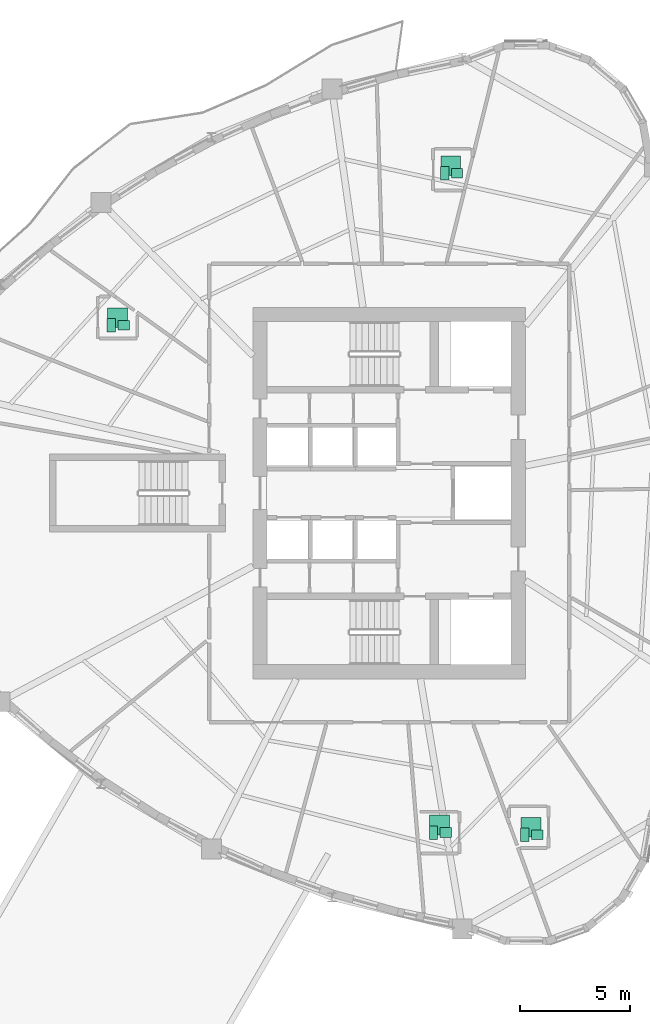
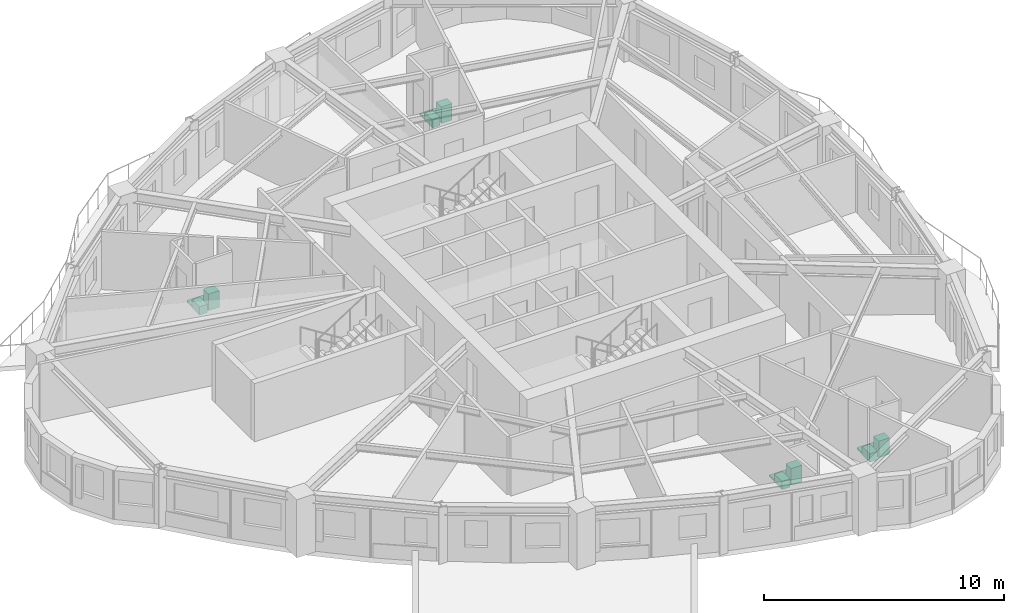
# One storey, part 14 of 14: 12 sanitary terminals.
"""IFC4 building model written with IfcOpenShell, lengths in metres."""

from ifc_helpers import new_model, si_unit, direction, frame, origin, origin_2d, place, context, subcontext, project, spatial, rectangle, extrude, source, transform, mapped, material, type_object, element, save


model = new_model("IFC4")

# Units and contexts
model_context = context("Model", 3, precision=1e-05, world=origin(), true_north=direction((0.0, 1.0)))
body_context = subcontext(model_context, "Body", "Model", "MODEL_VIEW")
ifc_project = project(units=[si_unit("LENGTHUNIT", "METRE"), si_unit("AREAUNIT", "SQUARE_METRE"), si_unit("VOLUMEUNIT", "CUBIC_METRE"), si_unit("PLANEANGLEUNIT", "RADIAN"), si_unit("MASSUNIT", "GRAM", prefix="KILO")], contexts=[model_context])

# Site, building, storey
site_placement = place(None, origin())
site = spatial("IfcSite", under=ifc_project, at=site_placement, CompositionType="ELEMENT")
building_placement = place(site_placement, origin())
building = spatial("IfcBuilding", under=site, at=building_placement, Name="Qafzar Sky-Pleat Residences", CompositionType="ELEMENT")
storey_placement = place(building_placement, frame((0.0, 0.0, 118.39990234375)))
storey = spatial("IfcBuildingStorey", under=building, at=storey_placement, Name="L35", CompositionType="ELEMENT", Elevation=118.39990234375)

# Sanitary terminals
ifc_material_1 = material(Name="Vitreous china sanitaryware")
sanitary_terminal_type_1 = type_object("IfcSanitaryTerminalType", Name="SAN-WC-PAN", PredefinedType="TOILETPAN", material=ifc_material_1)
shared_shape_1 = source(origin(), body_context, "Body", "SweptSolid", [
    extrude(rectangle(XDim=0.3798828125, YDim=0.6201171875, at=origin_2d()), origin(), (0.0, 0.0, 1.0), 0.419921875),
])
for number, where, z_axis, x_axis, name in (
    (1, (32.874755859375, 40.549072265625, 0.000244140625), (0.0, 0.0, 1.0), (1.0, 0.0, 0.0), "L35 En-suite Bathroom 1 WC Pan"),
    (2, (17.708984375, 33.635986328125, 0.000244140625), (0.0, 0.0, 1.0), (1.0, 0.0, 0.0), "L35 En-suite Bathroom 2 WC Pan"),
    (3, (32.363037109375, 10.55810546875, 0.000244140625), (0.0, 0.0, 1.0), (1.0, 0.0, 0.0), "L35 En-suite Bathroom 3 WC Pan"),
    (4, (36.517333984375, 10.456298828125, 0.000244140625), (0.0, 0.0, 1.0), (1.0, 0.0, 0.0), "L35 En-suite Bathroom 4 WC Pan"),
):
    element("IfcSanitaryTerminal", number, at=place(storey_placement, frame(where, z_axis=z_axis, x_axis=x_axis)), inside=storey, type_object=sanitary_terminal_type_1, Name=name, PredefinedType="TOILETPAN", context=body_context, shape_type="MappedRepresentation", body=[
        mapped(shared_shape_1, transform((0.0, 0.0, 0.0), x_axis=(1.0, 0.0, 0.0), y_axis=(0.0, 1.0, 0.0), z_axis=(0.0, 0.0, 1.0), scale=1.0)),
    ])
sanitary_terminal_type_2 = type_object("IfcSanitaryTerminalType", Name="SAN-BASIN", PredefinedType="WASHHANDBASIN", material=ifc_material_1)
shared_shape_2 = source(origin(), body_context, "Body", "SweptSolid", [
    extrude(rectangle(XDim=0.52001953125, YDim=0.43994140625, at=origin_2d()), origin(), (0.0, 0.0, 1.0), 0.840087890625),
])
for number, where, z_axis, x_axis, name in (
    (5, (33.434814453125, 40.549072265625, 0.0), (0.0, 0.0, 1.0), (1.0, 0.0, 0.0), "L35 En-suite Bathroom 1 Pedestal Washbasin"),
    (6, (18.26904296875, 33.635986328125, 0.0), (0.0, 0.0, 1.0), (1.0, 0.0, 0.0), "L35 En-suite Bathroom 2 Pedestal Washbasin"),
    (7, (32.923095703125, 10.55810546875, 0.0), (0.0, 0.0, 1.0), (1.0, 0.0, 0.0), "L35 En-suite Bathroom 3 Pedestal Washbasin"),
    (8, (37.077392578125, 10.456298828125, 0.0), (0.0, 0.0, 1.0), (1.0, 0.0, 0.0), "L35 En-suite Bathroom 4 Pedestal Washbasin"),
):
    element("IfcSanitaryTerminal", number, at=place(storey_placement, frame(where, z_axis=z_axis, x_axis=x_axis)), inside=storey, type_object=sanitary_terminal_type_2, Name=name, PredefinedType="WASHHANDBASIN", context=body_context, shape_type="MappedRepresentation", body=[
        mapped(shared_shape_2, transform((0.0, 0.0, 0.0), x_axis=(1.0, 0.0, 0.0), y_axis=(0.0, 1.0, 0.0), z_axis=(0.0, 0.0, 1.0), scale=1.0)),
    ])
ifc_material_2 = material(Name="Vitreous china and acrylic tray")
sanitary_terminal_type_3 = type_object("IfcSanitaryTerminalType", Name="SAN-SHOWER", PredefinedType="SHOWER", material=ifc_material_2)
shared_shape_3 = source(origin(), body_context, "Body", "SweptSolid", [
    extrude(rectangle(XDim=0.89990234375, YDim=0.89990234375, at=origin_2d()), origin(), (0.0, 0.0, 1.0), 0.080078125),
])
for number, where, z_axis, x_axis, name in (
    (9, (33.15478515625, 40.888916015625, 0.0), (0.0, 0.0, 1.0), (1.0, 0.0, 0.0), "L35 En-suite Bathroom 1 Walk-In Shower"),
    (10, (17.989013671875, 33.97607421875, 0.0), (0.0, 0.0, 1.0), (1.0, 0.0, 0.0), "L35 En-suite Bathroom 2 Walk-In Shower"),
    (11, (32.64306640625, 10.89794921875, 0.0), (0.0, 0.0, 1.0), (1.0, 0.0, 0.0), "L35 En-suite Bathroom 3 Walk-In Shower"),
    (12, (36.79736328125, 10.796142578125, 0.0), (0.0, 0.0, 1.0), (1.0, 0.0, 0.0), "L35 En-suite Bathroom 4 Walk-In Shower"),
):
    element("IfcSanitaryTerminal", number, at=place(storey_placement, frame(where, z_axis=z_axis, x_axis=x_axis)), inside=storey, type_object=sanitary_terminal_type_3, Name=name, PredefinedType="SHOWER", context=body_context, shape_type="MappedRepresentation", body=[
        mapped(shared_shape_3, transform((0.0, 0.0, 0.0), x_axis=(1.0, 0.0, 0.0), y_axis=(0.0, 1.0, 0.0), z_axis=(0.0, 0.0, 1.0), scale=1.0)),
    ])

save(model, "model.ifc")
